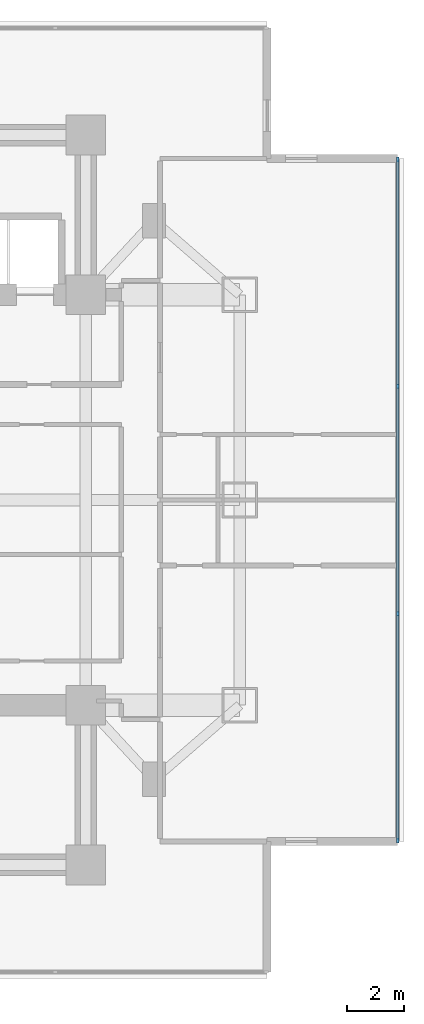
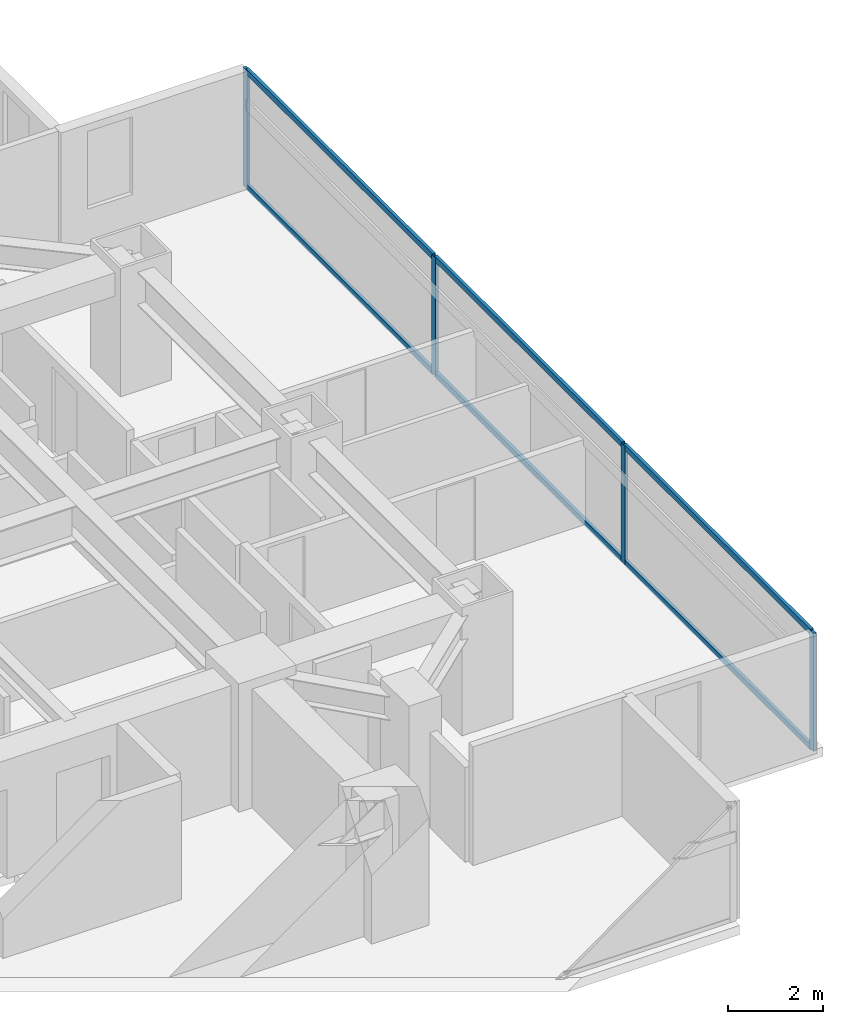
# One storey, part 11 of 26: 10 members, 1 element without a shape of its own.
"""IFC4 building model written with IfcOpenShell, lengths in metres."""

from ifc_helpers import new_model, si_unit, direction, frame, origin, origin_2d, place, context, subcontext, project, spatial, rectangle, extrude, material, material_profile, profile_set, type_object, element, aggregate, save


model = new_model("IFC4")

# Units and contexts
model_context = context("Model", 3, precision=1e-05, world=origin(), true_north=direction((0.0, 1.0)))
body_context = subcontext(model_context, "Body", "Model", "MODEL_VIEW")
ifc_project = project(units=[si_unit("LENGTHUNIT", "METRE"), si_unit("AREAUNIT", "SQUARE_METRE"), si_unit("VOLUMEUNIT", "CUBIC_METRE"), si_unit("PLANEANGLEUNIT", "RADIAN"), si_unit("MASSUNIT", "GRAM", prefix="KILO")], contexts=[model_context])

# Site, building, storey
site_placement = place(None, origin())
site = spatial("IfcSite", under=ifc_project, at=site_placement, CompositionType="ELEMENT")
building_placement = place(site_placement, origin())
building = spatial("IfcBuilding", under=site, at=building_placement, Name="Mirazonda Arch Towers", CompositionType="ELEMENT")
storey_placement = place(building_placement, frame((0.0, 0.0, 45.5)))
storey = spatial("IfcBuildingStorey", under=building, at=storey_placement, Name="L12", CompositionType="ELEMENT", Elevation=45.5)

# Curtain wall, members
ifc_material_1 = material(Name="Anodised Aluminium and Low-E Glass", Category="aluminium")
curtain_wall_type = type_object("IfcCurtainWallType", Name="CW-HTL-UNIT", PredefinedType="NOTDEFINED", material=ifc_material_1)
curtain_wall_placement = place(storey_placement, origin())
curtain_wall = element("IfcCurtainWall", 1, at=curtain_wall_placement, inside=storey, type_object=curtain_wall_type, Name="L12 T2 E Facade CW-L12-T2-E", PredefinedType="NOTDEFINED")
ifc_material_2 = material(Name="Anodised Aluminium Alloy", Category="aluminium")
ifc_material_profile_1 = material_profile(ifc_material_2, rectangle(XDim=0.074951171875, YDim=0.1650390625, at=origin_2d()), Name="ALU-MULL-75x165")
ifc_profile_set_1 = profile_set([ifc_material_profile_1], Name="Anodised Aluminium Alloy")
member_type_1 = type_object("IfcMemberType", Name="MULL-CW-HTL-UNIT", PredefinedType="MULLION", material=ifc_profile_set_1)
member_1_placement = place(storey_placement, frame((95.946044921875, 16.054443359375, 0.0), z_axis=(0.0, 0.0, 1.0), x_axis=(-1.0, 0.0, 0.0)))
member_1 = element("IfcMember", 2, at=member_1_placement, type_object=member_type_1, Name="CW-112 mullion 1", PredefinedType="MULLION", context=body_context, shape_type="SweptSolid", body=[
    extrude(rectangle(XDim=0.074951171875, YDim=0.1650390625, at=origin_2d()), origin(), (0.0, 0.0, 1.0), 3.0400390625),
])
member_2_placement = place(storey_placement, frame((95.946044921875, 24.005615234375, 0.0), z_axis=(0.0, 0.0, 1.0), x_axis=(-1.0, 0.0, 0.0)))
member_2 = element("IfcMember", 3, at=member_2_placement, type_object=member_type_1, Name="CW-112 mullion 2", PredefinedType="MULLION", context=body_context, shape_type="SweptSolid", body=[
    extrude(rectangle(XDim=0.074951171875, YDim=0.1650390625, at=origin_2d()), origin(), (0.0, 0.0, 1.0), 3.0400390625),
])
member_3_placement = place(storey_placement, frame((95.946044921875, 31.994384765625, 0.0), z_axis=(0.0, 0.0, 1.0), x_axis=(-1.0, 0.0, 0.0)))
member_3 = element("IfcMember", 4, at=member_3_placement, type_object=member_type_1, Name="CW-112 mullion 3", PredefinedType="MULLION", context=body_context, shape_type="SweptSolid", body=[
    extrude(rectangle(XDim=0.074951171875, YDim=0.1650390625, at=origin_2d()), origin(), (0.0, 0.0, 1.0), 3.0400390625),
])
member_4_placement = place(storey_placement, frame((95.946044921875, 39.945556640625, 0.0), z_axis=(0.0, 0.0, 1.0), x_axis=(-1.0, 0.0, 0.0)))
member_4 = element("IfcMember", 5, at=member_4_placement, type_object=member_type_1, Name="CW-112 mullion 4", PredefinedType="MULLION", context=body_context, shape_type="SweptSolid", body=[
    extrude(rectangle(XDim=0.074951171875, YDim=0.1650390625, at=origin_2d()), origin(), (0.0, 0.0, 1.0), 3.0400390625),
])
ifc_material_profile_2 = material_profile(ifc_material_2, rectangle(XDim=0.074951171875, YDim=0.14501953125, at=origin_2d()), Name="ALU-TRAN-75x145")
ifc_profile_set_2 = profile_set([ifc_material_profile_2], Name="Anodised Aluminium Alloy")
member_type_2 = type_object("IfcMemberType", Name="TRAN-CW-HTL-UNIT", PredefinedType="USERDEFINED", material=ifc_profile_set_2)
member_5_placement = place(storey_placement, frame((95.946044921875, 16.091796875, 0.03759765625), z_axis=(0.0, 1.0, 0.0), x_axis=(-1.0, 0.0, 0.0)))
member_5 = element("IfcMember", 6, at=member_5_placement, type_object=member_type_2, Name="CW-112 transom 1.1", ObjectType="TRANSOM", PredefinedType="USERDEFINED", context=body_context, shape_type="SweptSolid", body=[
    extrude(rectangle(XDim=0.074951171875, YDim=0.14501953125, at=origin_2d()), origin(), (0.0, 0.0, 1.0), 7.876220703125),
])
member_6_placement = place(storey_placement, frame((95.946044921875, 16.091796875, 3.00244140625), z_axis=(0.0, 1.0, 0.0), x_axis=(-1.0, 0.0, 0.0)))
member_6 = element("IfcMember", 7, at=member_6_placement, type_object=member_type_2, Name="CW-112 transom 1.2", ObjectType="TRANSOM", PredefinedType="USERDEFINED", context=body_context, shape_type="SweptSolid", body=[
    extrude(rectangle(XDim=0.074951171875, YDim=0.14501953125, at=origin_2d()), origin(), (0.0, 0.0, 1.0), 7.876220703125),
])
member_7_placement = place(storey_placement, frame((95.946044921875, 24.043212890625, 0.03759765625), z_axis=(0.0, 1.0, 0.0), x_axis=(-1.0, 0.0, 0.0)))
member_7 = element("IfcMember", 8, at=member_7_placement, type_object=member_type_2, Name="CW-112 transom 2.1", ObjectType="TRANSOM", PredefinedType="USERDEFINED", context=body_context, shape_type="SweptSolid", body=[
    extrude(rectangle(XDim=0.074951171875, YDim=0.14501953125, at=origin_2d()), origin(), (0.0, 0.0, 1.0), 7.91357421875),
])
member_8_placement = place(storey_placement, frame((95.946044921875, 24.043212890625, 3.00244140625), z_axis=(0.0, 1.0, 0.0), x_axis=(-1.0, 0.0, 0.0)))
member_8 = element("IfcMember", 9, at=member_8_placement, type_object=member_type_2, Name="CW-112 transom 2.2", ObjectType="TRANSOM", PredefinedType="USERDEFINED", context=body_context, shape_type="SweptSolid", body=[
    extrude(rectangle(XDim=0.074951171875, YDim=0.14501953125, at=origin_2d()), origin(), (0.0, 0.0, 1.0), 7.91357421875),
])
member_9_placement = place(storey_placement, frame((95.946044921875, 32.031982421875, 0.03759765625), z_axis=(0.0, 1.0, 0.0), x_axis=(-1.0, 0.0, 0.0)))
member_9 = element("IfcMember", 10, at=member_9_placement, type_object=member_type_2, Name="CW-112 transom 3.1", ObjectType="TRANSOM", PredefinedType="USERDEFINED", context=body_context, shape_type="SweptSolid", body=[
    extrude(rectangle(XDim=0.074951171875, YDim=0.14501953125, at=origin_2d()), origin(), (0.0, 0.0, 1.0), 7.876220703125),
])
member_10_placement = place(storey_placement, frame((95.946044921875, 32.031982421875, 3.00244140625), z_axis=(0.0, 1.0, 0.0), x_axis=(-1.0, 0.0, 0.0)))
member_10 = element("IfcMember", 11, at=member_10_placement, type_object=member_type_2, Name="CW-112 transom 3.2", ObjectType="TRANSOM", PredefinedType="USERDEFINED", context=body_context, shape_type="SweptSolid", body=[
    extrude(rectangle(XDim=0.074951171875, YDim=0.14501953125, at=origin_2d()), origin(), (0.0, 0.0, 1.0), 7.876220703125),
])
aggregate(curtain_wall, [member_1, member_2, member_3, member_4, member_5, member_6, member_7, member_8, member_9, member_10])

save(model, "model.ifc")
